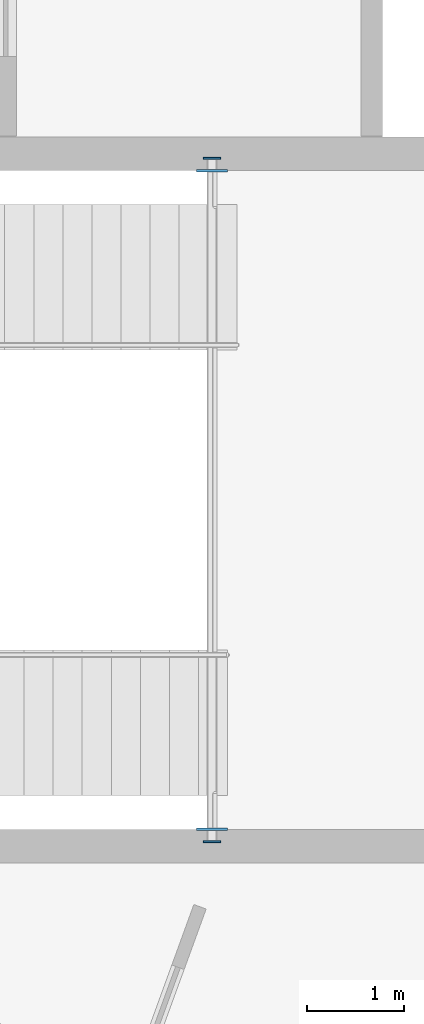
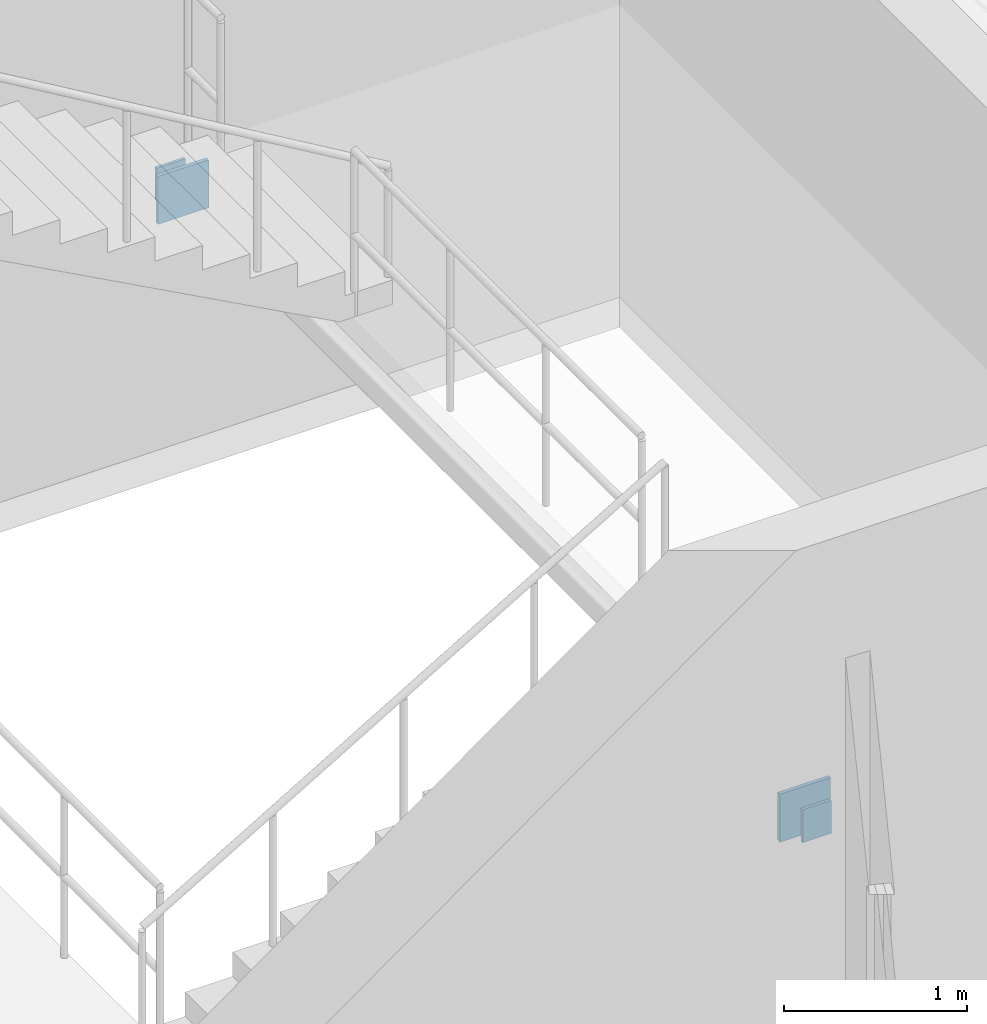
# One storey, part 24 of 41: 4 plates.
"""IFC4 building model written with IfcOpenShell, lengths in metres."""

from ifc_helpers import new_model, si_unit, direction, frame, origin, origin_2d, place, context, subcontext, project, spatial, rectangle, extrude, material, layer, layer_set, type_object, element, save


model = new_model("IFC4")

# Units and contexts
model_context = context("Model", 3, precision=1e-05, world=origin(), true_north=direction((0.0, 1.0)))
body_context = subcontext(model_context, "Body", "Model", "MODEL_VIEW")
ifc_project = project(units=[si_unit("LENGTHUNIT", "METRE"), si_unit("AREAUNIT", "SQUARE_METRE"), si_unit("VOLUMEUNIT", "CUBIC_METRE"), si_unit("PLANEANGLEUNIT", "RADIAN"), si_unit("MASSUNIT", "GRAM", prefix="KILO"), si_unit("THERMODYNAMICTEMPERATUREUNIT", "KELVIN"), si_unit("POWERUNIT", "WATT")], contexts=[model_context])

# Site, building, storey
site_placement = place(None, origin())
site = spatial("IfcSite", under=ifc_project, at=site_placement, CompositionType="ELEMENT")
building_placement = place(site_placement, origin())
building = spatial("IfcBuilding", under=site, at=building_placement, Name="Solvatero Civic Police Headquarters", CompositionType="ELEMENT")
storey_placement = place(building_placement, frame((0.0, 0.0, 17.699951171875)))
storey = spatial("IfcBuildingStorey", under=building, at=storey_placement, Name="L04", CompositionType="ELEMENT", Elevation=17.699951171875)

# Plates
ifc_material = material(Name="Steel S355", Category="steel")
ifc_layer_1 = layer(ifc_material, 0.02001953125)
ifc_layer_set_1 = layer_set([ifc_layer_1], Name="Steel S355")
plate_type_1 = type_object("IfcPlateType", Name="PLT-CAP-20", PredefinedType="SHEET", material=ifc_layer_set_1)
for number, where, z_axis, x_axis, name in (
    (1, (45.840087890625, 42.469970703125, 1.56494140625), (0.0, 0.0, 1.0), (1.0, 0.0, 0.0), "Hollow Section Cap Plate 0031"),
    (2, (45.840087890625, 49.530029296875, 1.56494140625), (0.0, 0.0, 1.0), (1.0, 0.0, 0.0), "Hollow Section Cap Plate 0032"),
):
    element("IfcPlate", number, at=place(storey_placement, frame(where, z_axis=z_axis, x_axis=x_axis)), inside=storey, type_object=plate_type_1, Name=name, PredefinedType="SHEET", context=body_context, shape_type="SweptSolid", body=[
        extrude(rectangle(XDim=0.179931640625, YDim=0.02001953125, at=origin_2d()), origin(), (0.0, 0.0, 1.0), 0.219970703125),
    ])
ifc_layer_2 = layer(ifc_material, 0.02490234375)
ifc_layer_set_2 = layer_set([ifc_layer_2], Name="Steel S355")
plate_type_2 = type_object("IfcPlateType", Name="PLT-EMB-25", PredefinedType="SHEET", material=ifc_layer_set_2)
for number, where, z_axis, x_axis, name in (
    (3, (45.840087890625, 42.60009765625, 1.51513671875), (0.0, 0.0, 1.0), (1.0, 0.0, 0.0), "Cast-In Shear Wall Embed Plate 0031"),
    (4, (45.840087890625, 49.39990234375, 1.51513671875), (0.0, 0.0, 1.0), (1.0, 0.0, 0.0), "Cast-In Shear Wall Embed Plate 0032"),
):
    element("IfcPlate", number, at=place(storey_placement, frame(where, z_axis=z_axis, x_axis=x_axis)), inside=storey, type_object=plate_type_2, Name=name, PredefinedType="SHEET", context=body_context, shape_type="SweptSolid", body=[
        extrude(rectangle(XDim=0.320068359375, YDim=0.02490234375, at=origin_2d()), origin(), (0.0, 0.0, 1.0), 0.320068359375),
    ])

save(model, "model.ifc")
